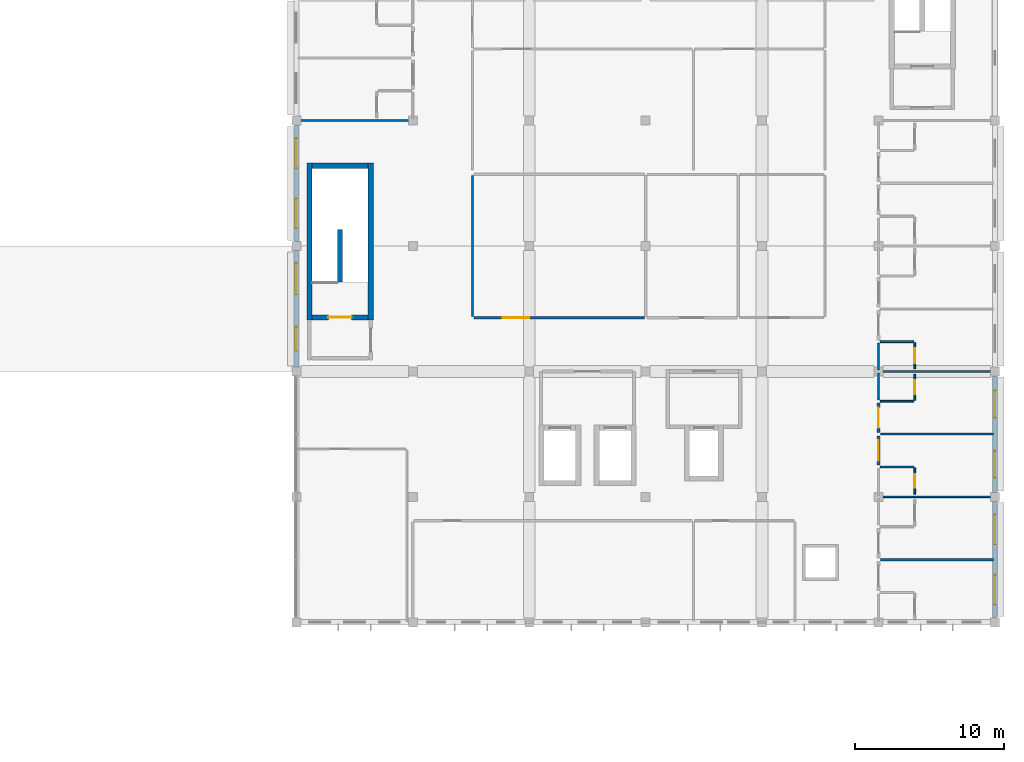
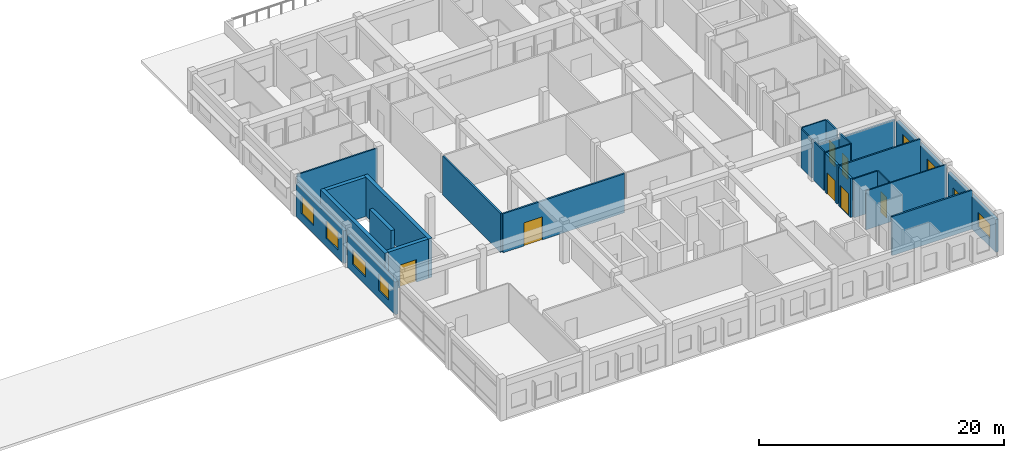
# One storey, part 20 of 32: 26 walls, 8 windows, 7 doors, 15 openings.
"""IFC4 building model written with IfcOpenShell, lengths in metres."""

from ifc_helpers import new_model, si_unit, direction, frame, frame_2d, origin, place, context, subcontext, project, spatial, rectangle, extrude, material, layer, layer_set, type_object, element, fill, save


model = new_model("IFC4")

# Units and contexts
model_context = context("Model", 3, precision=1e-05, world=origin(), true_north=direction((0.0, 1.0)))
body_context = subcontext(model_context, "Body", "Model", "MODEL_VIEW")
ifc_project = project(units=[si_unit("LENGTHUNIT", "METRE"), si_unit("AREAUNIT", "SQUARE_METRE"), si_unit("VOLUMEUNIT", "CUBIC_METRE"), si_unit("PLANEANGLEUNIT", "RADIAN"), si_unit("MASSUNIT", "GRAM", prefix="KILO"), si_unit("THERMODYNAMICTEMPERATUREUNIT", "KELVIN"), si_unit("POWERUNIT", "WATT")], contexts=[model_context])

# Site, building, storey
site_placement = place(None, origin())
site = spatial("IfcSite", under=ifc_project, at=site_placement, CompositionType="ELEMENT")
building_placement = place(site_placement, origin())
building = spatial("IfcBuilding", under=site, at=building_placement, Name="Srebrne Nadtorze General Hospital", CompositionType="ELEMENT")
storey_placement = place(building_placement, frame((0.0, 0.0, 29.699951171875)))
storey = spatial("IfcBuildingStorey", under=building, at=storey_placement, Name="L07", CompositionType="ELEMENT", Elevation=29.699951171875)

# Walls
ifc_material_1 = material(Name="Gypsum Healthcare Partition")
ifc_layer_1 = layer(ifc_material_1, 0.139892578125)
ifc_layer_set_1 = layer_set([ifc_layer_1], Name="Gypsum Healthcare Partition")
wall_type_1 = type_object("IfcWallType", Name="Clinical partition 140", PredefinedType="PARTITIONING", material=ifc_layer_set_1)
for number, where, z_axis, x_axis, name in (
    (1, (140.52001953125, 46.199951171875, 0.0), (0.0, 0.0, 1.0), (1.0, 0.0, 0.0), "Ward inter-room partition WL-INT-L07-2381"),
    (2, (101.52001953125, 67.199951171875, 0.0), (0.0, 0.0, 1.0), (1.0, 0.0, 0.0), "Ward inter-room partition WL-INT-L07-2411"),
):
    element("IfcWall", number, at=place(storey_placement, frame(where, z_axis=z_axis, x_axis=x_axis)), inside=storey, type_object=wall_type_1, Name=name, PredefinedType="PARTITIONING", context=body_context, shape_type="SweptSolid", body=[
        extrude(rectangle(XDim=7.56005859375, YDim=0.139892578125, at=frame_2d((3.780029296875, 0.0))), origin(), (0.0, 0.0, 1.0), 3.880126953125),
    ])
ifc_material_2 = material(Name="Gypsum Healthcare Partition")
ifc_layer_2 = layer(ifc_material_2, 0.159912109375)
ifc_layer_set_2 = layer_set([ifc_layer_2], Name="Gypsum Healthcare Partition")
wall_type_2 = type_object("IfcWallType", Name="Clinical partition 160", PredefinedType="PARTITIONING", material=ifc_layer_set_2)
wall_1_placement = place(storey_placement, frame((140.52001953125, 37.800048828125, 0.0), z_axis=(0.0, 0.0, 1.0), x_axis=(1.0, 0.0, 0.0)))
element("IfcWall", 3, at=wall_1_placement, inside=storey, type_object=wall_type_2, Name="Ward inter-room partition WL-INT-L07-2371", PredefinedType="PARTITIONING", context=body_context, shape_type="SweptSolid", body=[
    extrude(rectangle(XDim=7.56005859375, YDim=0.159912109375, at=frame_2d((3.780029296875, 0.0))), origin(), (0.0, 0.0, 1.0), 3.880126953125),
])
wall_2_placement = place(storey_placement, frame((140.52001953125, 50.39990234375, 0.0), z_axis=(0.0, 0.0, 1.0), x_axis=(1.0, 0.0, 0.0)))
element("IfcWall", 4, at=wall_2_placement, inside=storey, type_object=wall_type_2, Name="Ward inter-room partition WL-INT-L07-2386", PredefinedType="PARTITIONING", context=body_context, shape_type="SweptSolid", body=[
    extrude(rectangle(XDim=7.56005859375, YDim=0.159912109375, at=frame_2d((3.780029296875, 0.0))), origin(), (0.0, 0.0, 1.0), 3.25),
])

# Wall, opening, door
wall_3_placement = place(storey_placement, frame((113.284912109375, 54.0, 0.0), z_axis=(0.0, 0.0, 1.0), x_axis=(1.0, 0.0, 0.0)))
wall_3 = element("IfcWall", 5, at=wall_3_placement, inside=storey, type_object=wall_type_2, Name="Nursing Station wall WL-INT-L07-2441", PredefinedType="PARTITIONING", context=body_context, shape_type="SweptSolid", body=[
    extrude(rectangle(XDim=11.43017578125, YDim=0.159912109375, at=frame_2d((5.715087890625, 0.0))), origin(), (0.0, 0.0, 1.0), 3.880126953125),
])
opening_1_placement = place(wall_3_placement, frame((1.949951171875, 0.0, 0.0)))
opening_1 = element("IfcOpeningElement", 6, at=opening_1_placement, cuts=wall_3, Name="Opening D-L07-0564", PredefinedType="OPENING", context=body_context, shape_type="SweptSolid", body=[
    extrude(rectangle(XDim=1.75, YDim=2.300048828125, at=frame_2d((0.875, 1.14990234375))), frame((0.0, 0.091796875, 0.0), z_axis=(0.0, -1.0, 0.0), x_axis=(1.0, 0.0, 0.0)), (0.0, 0.0, 1.0), 0.183837890625),
])
ifc_material_3 = material(Name="Anodised Aluminium", Category="aluminium")
door_type_1 = type_object("IfcDoorType", Name="Double leaf door 1750x2300", OperationType="DOUBLE_DOOR_SINGLE_SWING", PredefinedType="DOOR", material=ifc_material_3)
door_1_placement = place(opening_1_placement, origin())
door_1 = element("IfcDoor", 7, at=door_1_placement, inside=storey, type_object=door_type_1, Name="Nursing Station door D-L07-0564", OperationType="DOUBLE_DOOR_SINGLE_SWING", OverallHeight=2.300048828125, OverallWidth=1.75, PredefinedType="DOOR", context=body_context, shape_type="SweptSolid", body=[
    extrude(rectangle(XDim=1.75, YDim=2.300048828125, at=frame_2d((0.875, 1.14990234375))), frame((0.0, 0.02490234375, 0.0), z_axis=(0.0, -1.0, 0.0), x_axis=(1.0, 0.0, 0.0)), (0.0, 0.0, 1.0), 0.050048828125),
])
fill(opening_1, door_1)

# Wall
wall_4_placement = place(storey_placement, frame((113.199951171875, 54.0849609375, 0.0), z_axis=(0.0, 0.0, 1.0), x_axis=(0.0, 1.0, 0.0)))
element("IfcWall", 8, at=wall_4_placement, inside=storey, type_object=wall_type_2, Name="Nursing Station wall WL-INT-L07-2443", PredefinedType="PARTITIONING", context=body_context, shape_type="SweptSolid", body=[
    extrude(rectangle(XDim=9.429931640625, YDim=0.159912109375, at=frame_2d((4.71484375, 0.0))), origin(), (0.0, 0.0, 1.0), 3.880126953125),
])

# Wall, opening, door
ifc_material_4 = material(Name="Gypsum Healthcare Partition")
ifc_layer_3 = layer(ifc_material_4, 0.199951171875)
ifc_layer_set_3 = layer_set([ifc_layer_3], Name="Gypsum Healthcare Partition")
wall_type_3 = type_object("IfcWallType", Name="Compartment wall 200", PredefinedType="STANDARD", material=ifc_layer_set_3)
wall_5_placement = place(storey_placement, frame((140.39990234375, 44.1201171875, 0.0), z_axis=(0.0, 0.0, 1.0), x_axis=(0.0, 1.0, 0.0)))
wall_5 = element("IfcWall", 9, at=wall_5_placement, inside=storey, type_object=wall_type_3, Name="Ward corridor wall WL-INT-L07-2382", PredefinedType="STANDARD", context=body_context, shape_type="SweptSolid", body=[
    extrude(rectangle(XDim=1.9599609375, YDim=0.199951171875, at=frame_2d((0.97998046875, 0.0))), origin(), (0.0, 0.0, 1.0), 3.880126953125),
])
opening_2_placement = place(wall_5_placement, frame((0.2900390625, 0.0, 0.0)))
opening_2 = element("IfcOpeningElement", 10, at=opening_2_placement, cuts=wall_5, Name="Opening D-L07-0541", PredefinedType="OPENING", context=body_context, shape_type="SweptSolid", body=[
    extrude(rectangle(XDim=1.3798828125, YDim=2.199951171875, at=frame_2d((0.68994140625, 1.10009765625))), frame((0.0, 0.11181640625, 0.0), z_axis=(0.0, -1.0, 0.0), x_axis=(1.0, 0.0, 0.0)), (0.0, 0.0, 1.0), 0.223876953125),
])
ifc_material_5 = material(Name="Anodised Aluminium", Category="aluminium")
door_type_2 = type_object("IfcDoorType", Name="Single leaf door 1380x2200", OperationType="NOTDEFINED", PredefinedType="DOOR", material=ifc_material_5)
door_2_placement = place(opening_2_placement, frame((1.3798828125, 0.0, 0.0), z_axis=(0.0, 0.0, 1.0), x_axis=(-1.0, 0.0, 0.0)))
door_2 = element("IfcDoor", 11, at=door_2_placement, inside=storey, type_object=door_type_2, Name="Ward patient room door D-L07-0541", OperationType="SINGLE_SWING_LEFT", OverallHeight=2.199951171875, OverallWidth=1.3798828125, PredefinedType="DOOR", context=body_context, shape_type="SweptSolid", body=[
    extrude(rectangle(XDim=1.3798828125, YDim=2.199951171875, at=frame_2d((0.68994140625, 1.10009765625))), frame((0.0, 0.02490234375, 0.0), z_axis=(0.0, -1.0, 0.0), x_axis=(1.0, 0.0, 0.0)), (0.0, 0.0, 1.0), 0.050048828125),
])
fill(opening_2, door_2)

wall_6_placement = place(storey_placement, frame((140.39990234375, 46.320068359375, 0.0), z_axis=(0.0, 0.0, 1.0), x_axis=(0.0, 1.0, 0.0)))
wall_6 = element("IfcWall", 12, at=wall_6_placement, inside=storey, type_object=wall_type_3, Name="Ward corridor wall WL-INT-L07-2387", PredefinedType="STANDARD", context=body_context, shape_type="SweptSolid", body=[
    extrude(rectangle(XDim=1.9599609375, YDim=0.199951171875, at=frame_2d((0.97998046875, 0.0))), origin(), (0.0, 0.0, 1.0), 3.880126953125),
])
opening_3_placement = place(wall_6_placement, frame((0.304931640625, 0.0, 0.0)))
opening_3 = element("IfcOpeningElement", 13, at=opening_3_placement, cuts=wall_6, Name="Opening D-L07-0543", PredefinedType="OPENING", context=body_context, shape_type="SweptSolid", body=[
    extrude(rectangle(XDim=1.35009765625, YDim=2.14990234375, at=frame_2d((0.675048828125, 1.074951171875))), frame((0.0, 0.11181640625, 0.0), z_axis=(0.0, -1.0, 0.0), x_axis=(1.0, 0.0, 0.0)), (0.0, 0.0, 1.0), 0.223876953125),
])
ifc_material_6 = material(Name="Anodised Aluminium", Category="aluminium")
door_type_3 = type_object("IfcDoorType", Name="Single leaf door 1350x2150", OperationType="NOTDEFINED", PredefinedType="DOOR", material=ifc_material_6)
door_3_placement = place(opening_3_placement, frame((1.35009765625, 0.0, 0.0), z_axis=(0.0, 0.0, 1.0), x_axis=(-1.0, 0.0, 0.0)))
door_3 = element("IfcDoor", 14, at=door_3_placement, inside=storey, type_object=door_type_3, Name="Ward patient room door D-L07-0543", OperationType="SINGLE_SWING_LEFT", OverallHeight=2.14990234375, OverallWidth=1.35009765625, PredefinedType="DOOR", context=body_context, shape_type="SweptSolid", body=[
    extrude(rectangle(XDim=1.35009765625, YDim=2.14990234375, at=frame_2d((0.675048828125, 1.074951171875))), frame((0.0, 0.02490234375, 0.0), z_axis=(0.0, -1.0, 0.0), x_axis=(1.0, 0.0, 0.0)), (0.0, 0.0, 1.0), 0.050048828125),
])
fill(opening_3, door_3)

# Wall
ifc_material_7 = material(Name="Gypsum Healthcare Partition")
ifc_layer_4 = layer(ifc_material_7, 0.1201171875)
ifc_layer_set_4 = layer_set([ifc_layer_4], Name="Gypsum Healthcare Partition")
wall_type_4 = type_object("IfcWallType", Name="En-suite partition 120", PredefinedType="PARTITIONING", material=ifc_layer_set_4)
wall_7_placement = place(storey_placement, frame((140.52001953125, 44.0, 0.0), z_axis=(0.0, 0.0, 1.0), x_axis=(1.0, 0.0, 0.0)))
element("IfcWall", 15, at=wall_7_placement, inside=storey, type_object=wall_type_4, Name="En-suite wet wall WL-INT-L07-2384", PredefinedType="PARTITIONING", context=body_context, shape_type="SweptSolid", body=[
    extrude(rectangle(XDim=2.239990234375, YDim=0.1201171875, at=frame_2d((1.1201171875, 0.0))), origin(), (0.0, 0.0, 1.0), 3.880126953125),
])

# Wall, opening, door
wall_8_placement = place(storey_placement, frame((142.820068359375, 42.179931640625, 0.0), z_axis=(0.0, 0.0, 1.0), x_axis=(0.0, 1.0, 0.0)))
wall_8 = element("IfcWall", 16, at=wall_8_placement, inside=storey, type_object=wall_type_4, Name="En-suite wet wall WL-INT-L07-2385", PredefinedType="PARTITIONING", context=body_context, shape_type="SweptSolid", body=[
    extrude(rectangle(XDim=1.760009765625, YDim=0.1201171875, at=frame_2d((0.8798828125, 0.0))), origin(), (0.0, 0.0, 1.0), 3.880126953125),
])
opening_4_placement = place(wall_8_placement, frame((0.419921875, 0.0, 0.0)))
opening_4 = element("IfcOpeningElement", 17, at=opening_4_placement, cuts=wall_8, Name="Opening D-L07-0542", PredefinedType="OPENING", context=body_context, shape_type="SweptSolid", body=[
    extrude(rectangle(XDim=0.919921875, YDim=2.080078125, at=frame_2d((0.4599609375, 1.0400390625))), frame((0.0, 0.072021484375, 0.0), z_axis=(0.0, -1.0, 0.0), x_axis=(1.0, 0.0, 0.0)), (0.0, 0.0, 1.0), 0.14404296875),
])
ifc_material_8 = material(Name="Anodised Aluminium", Category="aluminium")
door_type_4 = type_object("IfcDoorType", Name="Single leaf door 920x2080", OperationType="NOTDEFINED", PredefinedType="DOOR", material=ifc_material_8)
door_4_placement = place(opening_4_placement, origin())
door_4 = element("IfcDoor", 18, at=door_4_placement, inside=storey, type_object=door_type_4, Name="En-suite bathroom door D-L07-0542", OperationType="SINGLE_SWING_LEFT", OverallHeight=2.080078125, OverallWidth=0.919921875, PredefinedType="DOOR", context=body_context, shape_type="SweptSolid", body=[
    extrude(rectangle(XDim=0.919921875, YDim=2.080078125, at=frame_2d((0.4599609375, 1.0400390625))), frame((0.0, 0.02490234375, 0.0), z_axis=(0.0, -1.0, 0.0), x_axis=(1.0, 0.0, 0.0)), (0.0, 0.0, 1.0), 0.050048828125),
])
fill(opening_4, door_4)

# Walls
wall_9_placement = place(storey_placement, frame((140.39990234375, 48.52001953125, 0.0), z_axis=(0.0, 0.0, 1.0), x_axis=(0.0, 1.0, 0.0)))
element("IfcWall", 19, at=wall_9_placement, inside=storey, type_object=wall_type_4, Name="En-suite corridor wall WL-INT-L07-2388", PredefinedType="PARTITIONING", context=body_context, shape_type="SweptSolid", body=[
    extrude(rectangle(XDim=1.760009765625, YDim=0.1201171875, at=frame_2d((0.8798828125, 0.0))), origin(), (0.0, 0.0, 1.0), 3.880126953125),
])
wall_10_placement = place(storey_placement, frame((140.52001953125, 48.39990234375, 0.0), z_axis=(0.0, 0.0, 1.0), x_axis=(1.0, 0.0, 0.0)))
element("IfcWall", 20, at=wall_10_placement, inside=storey, type_object=wall_type_4, Name="En-suite wet wall WL-INT-L07-2389", PredefinedType="PARTITIONING", context=body_context, shape_type="SweptSolid", body=[
    extrude(rectangle(XDim=2.239990234375, YDim=0.1201171875, at=frame_2d((1.1201171875, 0.0))), origin(), (0.0, 0.0, 1.0), 3.880126953125),
])

# Wall, opening, door
wall_11_placement = place(storey_placement, frame((142.820068359375, 48.4599609375, 0.0), z_axis=(0.0, 0.0, 1.0), x_axis=(0.0, 1.0, 0.0)))
wall_11 = element("IfcWall", 21, at=wall_11_placement, inside=storey, type_object=wall_type_4, Name="En-suite wet wall WL-INT-L07-2390", PredefinedType="PARTITIONING", context=body_context, shape_type="SweptSolid", body=[
    extrude(rectangle(XDim=1.760009765625, YDim=0.1201171875, at=frame_2d((0.8798828125, 0.0))), origin(), (0.0, 0.0, 1.0), 3.880126953125),
])
opening_5_placement = place(wall_11_placement, frame((0.405029296875, 0.0, 0.0)))
opening_5 = element("IfcOpeningElement", 22, at=opening_5_placement, cuts=wall_11, Name="Opening D-L07-0544", PredefinedType="OPENING", context=body_context, shape_type="SweptSolid", body=[
    extrude(rectangle(XDim=0.949951171875, YDim=2.10009765625, at=frame_2d((0.47509765625, 1.050048828125))), frame((0.0, 0.072021484375, 0.0), z_axis=(0.0, -1.0, 0.0), x_axis=(1.0, 0.0, 0.0)), (0.0, 0.0, 1.0), 0.14404296875),
])
ifc_material_9 = material(Name="Anodised Aluminium", Category="aluminium")
door_type_5 = type_object("IfcDoorType", Name="Single leaf door 950x2100", OperationType="NOTDEFINED", PredefinedType="DOOR", material=ifc_material_9)
door_5_placement = place(opening_5_placement, origin())
door_5 = element("IfcDoor", 23, at=door_5_placement, inside=storey, type_object=door_type_5, Name="En-suite bathroom door D-L07-0544", OperationType="SINGLE_SWING_LEFT", OverallHeight=2.10009765625, OverallWidth=0.949951171875, PredefinedType="DOOR", context=body_context, shape_type="SweptSolid", body=[
    extrude(rectangle(XDim=0.949951171875, YDim=2.10009765625, at=frame_2d((0.47509765625, 1.050048828125))), frame((0.0, 0.02490234375, 0.0), z_axis=(0.0, -1.0, 0.0), x_axis=(1.0, 0.0, 0.0)), (0.0, 0.0, 1.0), 0.050048828125),
])
fill(opening_5, door_5)

# Walls
wall_12_placement = place(storey_placement, frame((140.39990234375, 50.52001953125, 0.0), z_axis=(0.0, 0.0, 1.0), x_axis=(0.0, 1.0, 0.0)))
element("IfcWall", 24, at=wall_12_placement, inside=storey, type_object=wall_type_4, Name="En-suite corridor wall WL-INT-L07-2393", PredefinedType="PARTITIONING", context=body_context, shape_type="SweptSolid", body=[
    extrude(rectangle(XDim=1.760009765625, YDim=0.1201171875, at=frame_2d((0.8798828125, 0.0))), origin(), (0.0, 0.0, 1.0), 3.880126953125),
])
wall_13_placement = place(storey_placement, frame((140.52001953125, 52.39990234375, 0.0), z_axis=(0.0, 0.0, 1.0), x_axis=(1.0, 0.0, 0.0)))
element("IfcWall", 25, at=wall_13_placement, inside=storey, type_object=wall_type_4, Name="En-suite wet wall WL-INT-L07-2394", PredefinedType="PARTITIONING", context=body_context, shape_type="SweptSolid", body=[
    extrude(rectangle(XDim=2.239990234375, YDim=0.1201171875, at=frame_2d((1.1201171875, 0.0))), origin(), (0.0, 0.0, 1.0), 3.880126953125),
])

# Wall, opening, door
wall_14_placement = place(storey_placement, frame((142.820068359375, 50.580078125, 0.0), z_axis=(0.0, 0.0, 1.0), x_axis=(0.0, 1.0, 0.0)))
wall_14 = element("IfcWall", 26, at=wall_14_placement, inside=storey, type_object=wall_type_4, Name="En-suite wet wall WL-INT-L07-2395", PredefinedType="PARTITIONING", context=body_context, shape_type="SweptSolid", body=[
    extrude(rectangle(XDim=1.760009765625, YDim=0.1201171875, at=frame_2d((0.8798828125, 0.0))), origin(), (0.0, 0.0, 1.0), 3.880126953125),
])
opening_6_placement = place(wall_14_placement, frame((0.3798828125, 0.0, 0.0)))
opening_6 = element("IfcOpeningElement", 27, at=opening_6_placement, cuts=wall_14, Name="Opening D-L07-0546", PredefinedType="OPENING", context=body_context, shape_type="SweptSolid", body=[
    extrude(rectangle(XDim=1.0, YDim=2.10009765625, at=frame_2d((0.5, 1.050048828125))), frame((0.0, 0.072021484375, 0.0), z_axis=(0.0, -1.0, 0.0), x_axis=(1.0, 0.0, 0.0)), (0.0, 0.0, 1.0), 0.14404296875),
])
ifc_material_10 = material(Name="Anodised Aluminium", Category="aluminium")
door_type_6 = type_object("IfcDoorType", Name="Single leaf door 1000x2100", OperationType="NOTDEFINED", PredefinedType="DOOR", material=ifc_material_10)
door_6_placement = place(opening_6_placement, origin())
door_6 = element("IfcDoor", 28, at=door_6_placement, inside=storey, type_object=door_type_6, Name="En-suite bathroom door D-L07-0546", OperationType="SINGLE_SWING_LEFT", OverallHeight=2.10009765625, OverallWidth=1.0, PredefinedType="DOOR", context=body_context, shape_type="SweptSolid", body=[
    extrude(rectangle(XDim=1.0, YDim=2.10009765625, at=frame_2d((0.5, 1.050048828125))), frame((0.0, 0.02490234375, 0.0), z_axis=(0.0, -1.0, 0.0), x_axis=(1.0, 0.0, 0.0)), (0.0, 0.0, 1.0), 0.050048828125),
])
fill(opening_6, door_6)

# Walls
ifc_material_11 = material(Name="Gypsum Healthcare Partition")
ifc_layer_5 = layer(ifc_material_11, 0.10009765625)
ifc_layer_set_5 = layer_set([ifc_layer_5], Name="Gypsum Healthcare Partition")
wall_type_5 = type_object("IfcWallType", Name="Shaft lining wall 100", PredefinedType="PARTITIONING", material=ifc_layer_set_5)
wall_15_placement = place(storey_placement, frame((140.52001953125, 42.0, 0.0), z_axis=(0.0, 0.0, 1.0), x_axis=(1.0, 0.0, 0.0)))
element("IfcWall", 29, at=wall_15_placement, inside=storey, type_object=wall_type_5, Name="Ward inter-room partition WL-INT-L07-2376", PredefinedType="PARTITIONING", context=body_context, shape_type="SweptSolid", body=[
    extrude(rectangle(XDim=7.56005859375, YDim=0.10009765625, at=frame_2d((3.780029296875, 0.0))), origin(), (0.0, 0.0, 1.0), 3.880126953125),
])
ifc_material_12 = material(Name="Concrete C40/50", Category="concrete")
ifc_layer_6 = layer(ifc_material_12, 0.35009765625)
ifc_layer_set_6 = layer_set([ifc_layer_6], Name="Concrete C40/50")
wall_type_6 = type_object("IfcWallType", Name="Shear core wall 350", PredefinedType="SHEAR", material=ifc_layer_set_6)
for number, where, z_axis, x_axis, name in (
    (30, (102.27490234375, 53.85009765625, 0.0), (0.0, 0.0, 1.0), (0.0, 1.0, 0.0), "Stair core wall ST-03 WL-INT-L07-0425"),
    (31, (106.375, 53.85009765625, 0.0), (0.0, 0.0, 1.0), (0.0, 1.0, 0.0), "Stair core wall ST-03 WL-INT-L07-0426"),
):
    element("IfcWall", number, at=place(storey_placement, frame(where, z_axis=z_axis, x_axis=x_axis)), inside=storey, type_object=wall_type_6, Name=name, PredefinedType="SHEAR", context=body_context, shape_type="SweptSolid", body=[
        extrude(rectangle(XDim=10.5, YDim=0.35009765625, at=frame_2d((5.25, 0.0))), origin(), (0.0, 0.0, 1.0), 3.900146484375),
    ])
wall_16_placement = place(storey_placement, frame((102.449951171875, 64.175048828125, 0.0), z_axis=(0.0, 0.0, 1.0), x_axis=(1.0, 0.0, 0.0)))
element("IfcWall", 32, at=wall_16_placement, inside=storey, type_object=wall_type_6, Name="Stair core wall ST-03 WL-INT-L07-0427", PredefinedType="SHEAR", context=body_context, shape_type="SweptSolid", body=[
    extrude(rectangle(XDim=3.75, YDim=0.35009765625, at=frame_2d((1.875, 0.0))), origin(), (0.0, 0.0, 1.0), 3.900146484375),
])

# Wall, opening, door
wall_17_placement = place(storey_placement, frame((102.449951171875, 54.02490234375, 0.0), z_axis=(0.0, 0.0, 1.0), x_axis=(1.0, 0.0, 0.0)))
wall_17 = element("IfcWall", 33, at=wall_17_placement, inside=storey, type_object=wall_type_6, Name="Stairwell fire wall ST-03 WL-INT-L07-0428", PredefinedType="SHEAR", context=body_context, shape_type="SweptSolid", body=[
    extrude(rectangle(XDim=3.75, YDim=0.35009765625, at=frame_2d((1.875, 0.0))), origin(), (0.0, 0.0, 1.0), 3.900146484375),
])
opening_7_placement = place(wall_17_placement, frame((1.10009765625, 0.0, 0.0)))
opening_7 = element("IfcOpeningElement", 34, at=opening_7_placement, cuts=wall_17, Name="Opening D-L07-0107", PredefinedType="OPENING", context=body_context, shape_type="SweptSolid", body=[
    extrude(rectangle(XDim=1.550048828125, YDim=2.25, at=frame_2d((0.77490234375, 1.125))), frame((0.0, 0.18701171875, 0.0), z_axis=(0.0, -1.0, 0.0), x_axis=(1.0, 0.0, 0.0)), (0.0, 0.0, 1.0), 0.3740234375),
])
ifc_material_13 = material(Name="Anodised Aluminium", Category="aluminium")
door_type_7 = type_object("IfcDoorType", Name="Double leaf door 1550x2250", OperationType="DOUBLE_DOOR_SINGLE_SWING", PredefinedType="DOOR", material=ifc_material_13)
door_7_placement = place(opening_7_placement, origin())
door_7 = element("IfcDoor", 35, at=door_7_placement, inside=storey, type_object=door_type_7, Name="Protected stair door ST-03 D-L07-0107", OperationType="DOUBLE_DOOR_SINGLE_SWING", OverallHeight=2.25, OverallWidth=1.550048828125, PredefinedType="DOOR", context=body_context, shape_type="SweptSolid", body=[
    extrude(rectangle(XDim=1.550048828125, YDim=2.25, at=frame_2d((0.77490234375, 1.125))), frame((0.0, 0.02490234375, 0.0), z_axis=(0.0, -1.0, 0.0), x_axis=(1.0, 0.0, 0.0)), (0.0, 0.0, 1.0), 0.050048828125),
])
fill(opening_7, door_7)

# Wall
wall_18_placement = place(storey_placement, frame((104.324951171875, 56.39990234375, 0.0), z_axis=(0.0, 0.0, 1.0), x_axis=(0.0, 1.0, 0.0)))
element("IfcWall", 36, at=wall_18_placement, inside=storey, type_object=wall_type_6, Name="Stair spine wall ST-03 WL-INT-L07-0432", PredefinedType="SHEAR", context=body_context, shape_type="SweptSolid", body=[
    extrude(rectangle(XDim=3.52001953125, YDim=0.35009765625, at=frame_2d((1.760009765625, 0.0))), origin(), (0.0, 0.0, 1.0), 3.900146484375),
])

# Wall, openings, windows
ifc_material_14 = material(Name="Concrete C35/45 precast", Category="concrete")
ifc_layer_7 = layer(ifc_material_14, 0.280029296875)
ifc_layer_set_7 = layer_set([ifc_layer_7], Name="Concrete C35/45 precast")
wall_type_7 = type_object("IfcWallType", Name="Spandrel wall 280", PredefinedType="STANDARD", material=ifc_layer_set_7)
wall_19_placement = place(storey_placement, frame((101.39990234375, 50.699951171875, 0.0), z_axis=(0.0, 0.0, 1.0), x_axis=(0.0, 1.0, 0.0)))
wall_19 = element("IfcWall", 37, at=wall_19_placement, inside=storey, type_object=wall_type_7, Name="Exterior wall WL-ENV-L07-0540", PredefinedType="STANDARD", context=body_context, shape_type="SweptSolid", body=[
    extrude(rectangle(XDim=7.800048828125, YDim=0.280029296875, at=frame_2d((3.89990234375, 0.0))), origin(), (0.0, 0.0, 1.0), 3.25),
])
opening_8_placement = place(wall_19_placement, frame((1.083984375, 0.0, 0.800048828125)))
opening_8 = element("IfcOpeningElement", 38, at=opening_8_placement, cuts=wall_19, Name="Opening WN-L07-0908", PredefinedType="OPENING", context=body_context, shape_type="SweptSolid", body=[
    extrude(rectangle(XDim=1.60009765625, YDim=1.64990234375, at=frame_2d((0.800048828125, 0.824951171875))), frame((0.0, 0.15185546875, 0.0), z_axis=(0.0, -1.0, 0.0), x_axis=(1.0, 0.0, 0.0)), (0.0, 0.0, 1.0), 0.303955078125),
])
opening_9_placement = place(wall_19_placement, frame((4.865966796875, 0.0, 0.800048828125)))
opening_9 = element("IfcOpeningElement", 39, at=opening_9_placement, cuts=wall_19, Name="Opening WN-L07-0909", PredefinedType="OPENING", context=body_context, shape_type="SweptSolid", body=[
    extrude(rectangle(XDim=2.10009765625, YDim=1.449951171875, at=frame_2d((1.050048828125, 0.72509765625))), frame((0.0, 0.15185546875, 0.0), z_axis=(0.0, -1.0, 0.0), x_axis=(1.0, 0.0, 0.0)), (0.0, 0.0, 1.0), 0.303955078125),
])
ifc_material_15 = material(Name="Triple Low-E Glazing", Category="glass")
window_type_1 = type_object("IfcWindowType", Name="Punched clinical window 1600x1650", PartitioningType="DOUBLE_PANEL_VERTICAL", PredefinedType="WINDOW", material=ifc_material_15)
window_1_placement = place(opening_8_placement, origin())
window_1 = element("IfcWindow", 40, at=window_1_placement, inside=storey, type_object=window_type_1, Name="Clinical window WN-L07-0908", OverallHeight=1.64990234375, OverallWidth=1.60009765625, PartitioningType="DOUBLE_PANEL_VERTICAL", PredefinedType="WINDOW", context=body_context, shape_type="SweptSolid", body=[
    extrude(rectangle(XDim=1.60009765625, YDim=1.64990234375, at=frame_2d((0.800048828125, 0.824951171875))), frame((0.0, 0.030029296875, 0.0), z_axis=(0.0, -1.0, 0.0), x_axis=(1.0, 0.0, 0.0)), (0.0, 0.0, 1.0), 0.06005859375),
])
fill(opening_8, window_1)
ifc_material_16 = material(Name="Triple Low-E Glazing", Category="glass")
window_type_2 = type_object("IfcWindowType", Name="Punched clinical window 2100x1450", PartitioningType="DOUBLE_PANEL_VERTICAL", PredefinedType="WINDOW", material=ifc_material_16)
window_2_placement = place(opening_9_placement, origin())
window_2 = element("IfcWindow", 41, at=window_2_placement, inside=storey, type_object=window_type_2, Name="Clinical window WN-L07-0909", OverallHeight=1.449951171875, OverallWidth=2.10009765625, PartitioningType="DOUBLE_PANEL_VERTICAL", PredefinedType="WINDOW", context=body_context, shape_type="SweptSolid", body=[
    extrude(rectangle(XDim=2.10009765625, YDim=1.449951171875, at=frame_2d((1.050048828125, 0.72509765625))), frame((0.0, 0.030029296875, 0.0), z_axis=(0.0, -1.0, 0.0), x_axis=(1.0, 0.0, 0.0)), (0.0, 0.0, 1.0), 0.06005859375),
])
fill(opening_9, window_2)

wall_20_placement = place(storey_placement, frame((101.39990234375, 59.10009765625, 0.0), z_axis=(0.0, 0.0, 1.0), x_axis=(0.0, 1.0, 0.0)))
wall_20 = element("IfcWall", 42, at=wall_20_placement, inside=storey, type_object=wall_type_7, Name="Exterior wall WL-ENV-L07-0541", PredefinedType="STANDARD", context=body_context, shape_type="SweptSolid", body=[
    extrude(rectangle(XDim=7.7998046875, YDim=0.280029296875, at=frame_2d((3.89990234375, 0.0))), origin(), (0.0, 0.0, 1.0), 3.25),
])
opening_10_placement = place(wall_20_placement, frame((0.884033203125, 0.0, 0.800048828125)))
opening_10 = element("IfcOpeningElement", 43, at=opening_10_placement, cuts=wall_20, Name="Opening WN-L07-0910", PredefinedType="OPENING", context=body_context, shape_type="SweptSolid", body=[
    extrude(rectangle(XDim=2.0, YDim=1.75, at=frame_2d((1.0, 0.875))), frame((0.0, 0.15185546875, 0.0), z_axis=(0.0, -1.0, 0.0), x_axis=(1.0, 0.0, 0.0)), (0.0, 0.0, 1.0), 0.303955078125),
])
opening_11_placement = place(wall_20_placement, frame((4.916015625, 0.0, 0.800048828125)))
opening_11 = element("IfcOpeningElement", 44, at=opening_11_placement, cuts=wall_20, Name="Opening WN-L07-0911", PredefinedType="OPENING", context=body_context, shape_type="SweptSolid", body=[
    extrude(rectangle(XDim=2.0, YDim=1.75, at=frame_2d((1.0, 0.875))), frame((0.0, 0.15185546875, 0.0), z_axis=(0.0, -1.0, 0.0), x_axis=(1.0, 0.0, 0.0)), (0.0, 0.0, 1.0), 0.303955078125),
])
ifc_material_17 = material(Name="Triple Low-E Glazing", Category="glass")
window_type_3 = type_object("IfcWindowType", Name="Punched clinical window 2000x1750", PartitioningType="DOUBLE_PANEL_VERTICAL", PredefinedType="WINDOW", material=ifc_material_17)
window_3_placement = place(opening_10_placement, origin())
window_3 = element("IfcWindow", 45, at=window_3_placement, inside=storey, type_object=window_type_3, Name="Clinical window WN-L07-0910", OverallHeight=1.75, OverallWidth=2.0, PartitioningType="DOUBLE_PANEL_VERTICAL", PredefinedType="WINDOW", context=body_context, shape_type="SweptSolid", body=[
    extrude(rectangle(XDim=2.0, YDim=1.75, at=frame_2d((1.0, 0.875))), frame((0.0, 0.030029296875, 0.0), z_axis=(0.0, -1.0, 0.0), x_axis=(1.0, 0.0, 0.0)), (0.0, 0.0, 1.0), 0.06005859375),
])
fill(opening_10, window_3)
window_4_placement = place(opening_11_placement, origin())
window_4 = element("IfcWindow", 46, at=window_4_placement, inside=storey, type_object=window_type_3, Name="Clinical window WN-L07-0911", OverallHeight=1.75, OverallWidth=2.0, PartitioningType="DOUBLE_PANEL_VERTICAL", PredefinedType="WINDOW", context=body_context, shape_type="SweptSolid", body=[
    extrude(rectangle(XDim=2.0, YDim=1.75, at=frame_2d((1.0, 0.875))), frame((0.0, 0.030029296875, 0.0), z_axis=(0.0, -1.0, 0.0), x_axis=(1.0, 0.0, 0.0)), (0.0, 0.0, 1.0), 0.06005859375),
])
fill(opening_11, window_4)

wall_21_placement = place(storey_placement, frame((148.199951171875, 33.89990234375, 0.0), z_axis=(0.0, 0.0, 1.0), x_axis=(0.0, 1.0, 0.0)))
wall_21 = element("IfcWall", 47, at=wall_21_placement, inside=storey, type_object=wall_type_7, Name="Exterior wall WL-ENV-L07-0544", PredefinedType="STANDARD", context=body_context, shape_type="SweptSolid", body=[
    extrude(rectangle(XDim=7.800048828125, YDim=0.280029296875, at=frame_2d((3.89990234375, 0.0))), origin(), (0.0, 0.0, 1.0), 3.25),
])
opening_12_placement = place(wall_21_placement, frame((0.884033203125, 0.0, 0.800048828125)))
opening_12 = element("IfcOpeningElement", 48, at=opening_12_placement, cuts=wall_21, Name="Opening WN-L07-0916", PredefinedType="OPENING", context=body_context, shape_type="SweptSolid", body=[
    extrude(rectangle(XDim=2.0, YDim=1.449951171875, at=frame_2d((1.0, 0.72509765625))), frame((0.0, 0.15185546875, 0.0), z_axis=(0.0, -1.0, 0.0), x_axis=(1.0, 0.0, 0.0)), (0.0, 0.0, 1.0), 0.303955078125),
])
opening_13_placement = place(wall_21_placement, frame((4.916015625, 0.0, 0.800048828125)))
opening_13 = element("IfcOpeningElement", 49, at=opening_13_placement, cuts=wall_21, Name="Opening WN-L07-0917", PredefinedType="OPENING", context=body_context, shape_type="SweptSolid", body=[
    extrude(rectangle(XDim=2.0, YDim=1.449951171875, at=frame_2d((1.0, 0.72509765625))), frame((0.0, 0.15185546875, 0.0), z_axis=(0.0, -1.0, 0.0), x_axis=(1.0, 0.0, 0.0)), (0.0, 0.0, 1.0), 0.303955078125),
])
ifc_material_18 = material(Name="Triple Low-E Glazing", Category="glass")
window_type_4 = type_object("IfcWindowType", Name="Punched clinical window 2000x1450", PartitioningType="DOUBLE_PANEL_VERTICAL", PredefinedType="WINDOW", material=ifc_material_18)
window_5_placement = place(opening_12_placement, origin())
window_5 = element("IfcWindow", 50, at=window_5_placement, inside=storey, type_object=window_type_4, Name="Clinical window WN-L07-0916", OverallHeight=1.449951171875, OverallWidth=2.0, PartitioningType="DOUBLE_PANEL_VERTICAL", PredefinedType="WINDOW", context=body_context, shape_type="SweptSolid", body=[
    extrude(rectangle(XDim=2.0, YDim=1.449951171875, at=frame_2d((1.0, 0.72509765625))), frame((0.0, 0.030029296875, 0.0), z_axis=(0.0, -1.0, 0.0), x_axis=(1.0, 0.0, 0.0)), (0.0, 0.0, 1.0), 0.06005859375),
])
fill(opening_12, window_5)
window_6_placement = place(opening_13_placement, origin())
window_6 = element("IfcWindow", 51, at=window_6_placement, inside=storey, type_object=window_type_4, Name="Clinical window WN-L07-0917", OverallHeight=1.449951171875, OverallWidth=2.0, PartitioningType="DOUBLE_PANEL_VERTICAL", PredefinedType="WINDOW", context=body_context, shape_type="SweptSolid", body=[
    extrude(rectangle(XDim=2.0, YDim=1.449951171875, at=frame_2d((1.0, 0.72509765625))), frame((0.0, 0.030029296875, 0.0), z_axis=(0.0, -1.0, 0.0), x_axis=(1.0, 0.0, 0.0)), (0.0, 0.0, 1.0), 0.06005859375),
])
fill(opening_13, window_6)

wall_22_placement = place(storey_placement, frame((148.199951171875, 42.300048828125, 0.0), z_axis=(0.0, 0.0, 1.0), x_axis=(0.0, 1.0, 0.0)))
wall_22 = element("IfcWall", 52, at=wall_22_placement, inside=storey, type_object=wall_type_7, Name="Exterior wall WL-ENV-L07-0545", PredefinedType="STANDARD", context=body_context, shape_type="SweptSolid", body=[
    extrude(rectangle(XDim=7.800048828125, YDim=0.280029296875, at=frame_2d((3.89990234375, 0.0))), origin(), (0.0, 0.0, 1.0), 3.25),
])
opening_14_placement = place(wall_22_placement, frame((0.98388671875, 0.0, 0.800048828125)))
opening_14 = element("IfcOpeningElement", 53, at=opening_14_placement, cuts=wall_22, Name="Opening WN-L07-0918", PredefinedType="OPENING", context=body_context, shape_type="SweptSolid", body=[
    extrude(rectangle(XDim=1.800048828125, YDim=1.75, at=frame_2d((0.89990234375, 0.875))), frame((0.0, 0.15185546875, 0.0), z_axis=(0.0, -1.0, 0.0), x_axis=(1.0, 0.0, 0.0)), (0.0, 0.0, 1.0), 0.303955078125),
])
opening_15_placement = place(wall_22_placement, frame((5.01611328125, 0.0, 0.800048828125)))
opening_15 = element("IfcOpeningElement", 54, at=opening_15_placement, cuts=wall_22, Name="Opening WN-L07-0919", PredefinedType="OPENING", context=body_context, shape_type="SweptSolid", body=[
    extrude(rectangle(XDim=1.800048828125, YDim=1.75, at=frame_2d((0.89990234375, 0.875))), frame((0.0, 0.15185546875, 0.0), z_axis=(0.0, -1.0, 0.0), x_axis=(1.0, 0.0, 0.0)), (0.0, 0.0, 1.0), 0.303955078125),
])
ifc_material_19 = material(Name="Triple Low-E Glazing", Category="glass")
window_type_5 = type_object("IfcWindowType", Name="Punched clinical window 1800x1750", PartitioningType="DOUBLE_PANEL_VERTICAL", PredefinedType="WINDOW", material=ifc_material_19)
window_7_placement = place(opening_14_placement, origin())
window_7 = element("IfcWindow", 55, at=window_7_placement, inside=storey, type_object=window_type_5, Name="Clinical window WN-L07-0918", OverallHeight=1.75, OverallWidth=1.800048828125, PartitioningType="DOUBLE_PANEL_VERTICAL", PredefinedType="WINDOW", context=body_context, shape_type="SweptSolid", body=[
    extrude(rectangle(XDim=1.800048828125, YDim=1.75, at=frame_2d((0.89990234375, 0.875))), frame((0.0, 0.030029296875, 0.0), z_axis=(0.0, -1.0, 0.0), x_axis=(1.0, 0.0, 0.0)), (0.0, 0.0, 1.0), 0.06005859375),
])
fill(opening_14, window_7)
window_8_placement = place(opening_15_placement, origin())
window_8 = element("IfcWindow", 56, at=window_8_placement, inside=storey, type_object=window_type_5, Name="Clinical window WN-L07-0919", OverallHeight=1.75, OverallWidth=1.800048828125, PartitioningType="DOUBLE_PANEL_VERTICAL", PredefinedType="WINDOW", context=body_context, shape_type="SweptSolid", body=[
    extrude(rectangle(XDim=1.800048828125, YDim=1.75, at=frame_2d((0.89990234375, 0.875))), frame((0.0, 0.030029296875, 0.0), z_axis=(0.0, -1.0, 0.0), x_axis=(1.0, 0.0, 0.0)), (0.0, 0.0, 1.0), 0.06005859375),
])
fill(opening_15, window_8)

save(model, "model.ifc")
